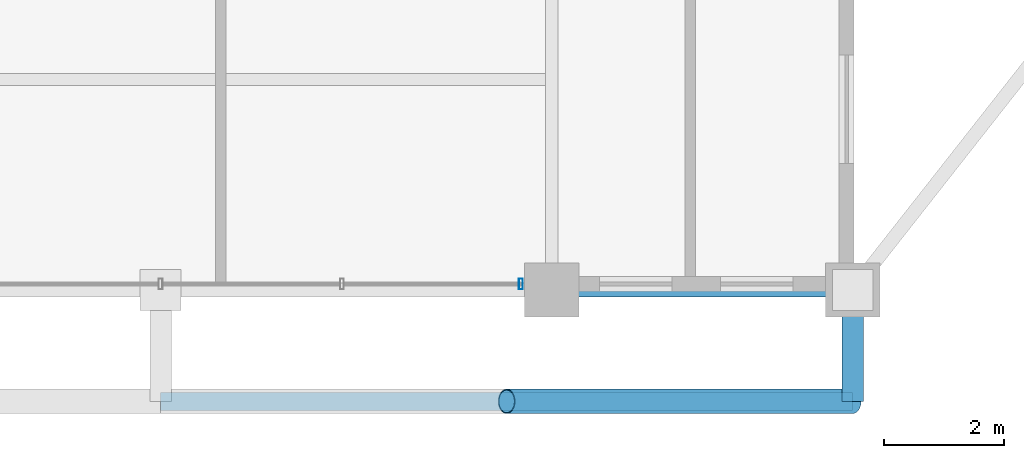
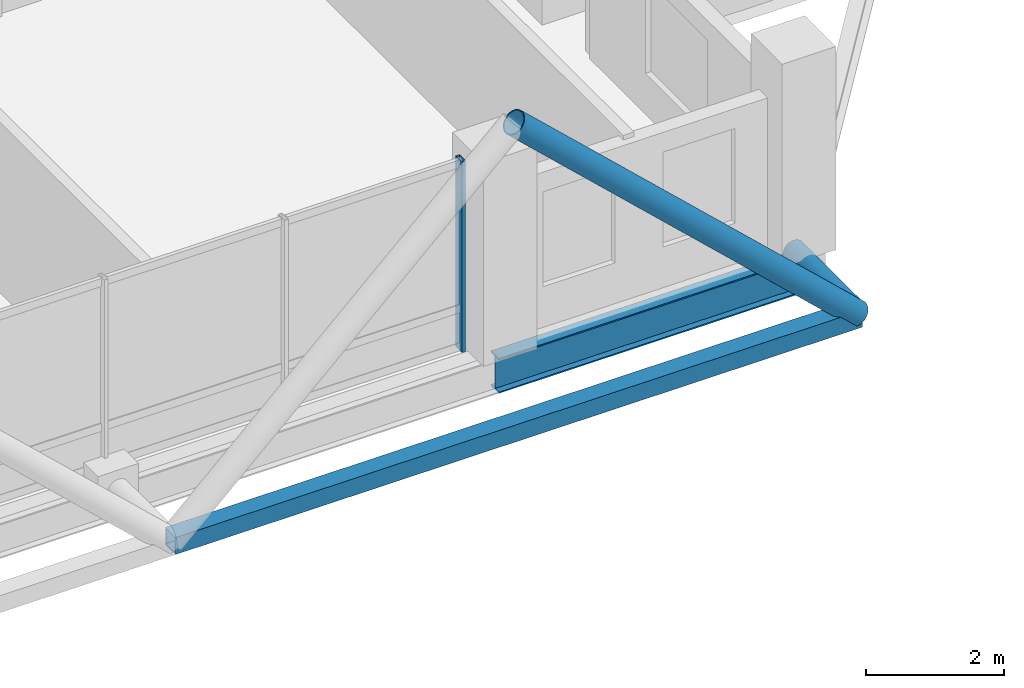
# One storey, part 6 of 24: 4 members, 1 beam, 1 element without a shape of its own.
"""IFC4 building model written with IfcOpenShell, lengths in metres."""

from ifc_helpers import new_model, si_unit, direction, frame, origin, origin_2d, place, context, subcontext, project, spatial, hollow_rectangle, hollow_circle, i_section, extrude, material, layer, layer_set, material_profile, profile_set, type_object, element, aggregate, save


model = new_model("IFC4")

# Units and contexts
model_context = context("Model", 3, precision=1e-05, world=origin(), true_north=direction((0.0, 1.0)))
body_context = subcontext(model_context, "Body", "Model", "MODEL_VIEW")
ifc_project = project(units=[si_unit("LENGTHUNIT", "METRE"), si_unit("AREAUNIT", "SQUARE_METRE"), si_unit("VOLUMEUNIT", "CUBIC_METRE"), si_unit("PLANEANGLEUNIT", "RADIAN"), si_unit("MASSUNIT", "GRAM", prefix="KILO")], contexts=[model_context])

# Site, building, storey
site_placement = place(None, origin())
site = spatial("IfcSite", under=ifc_project, at=site_placement, CompositionType="ELEMENT")
building_placement = place(site_placement, origin())
building = spatial("IfcBuilding", under=site, at=building_placement, Name="Barlavira Tower and Art Museum", CompositionType="ELEMENT")
storey_placement = place(building_placement, frame((0.0, 0.0, 272.699951171875)))
storey = spatial("IfcBuildingStorey", under=building, at=storey_placement, Name="L71", CompositionType="ELEMENT", Elevation=272.699951171875)

# Curtain wall, member
ifc_material_1 = material(Name="Low-iron coastal laminated glass", Category="glass")
ifc_layer = layer(ifc_material_1, 0.2099609375, Name="Low-iron coastal laminated glass")
ifc_layer_set = layer_set([ifc_layer], Name="Low-iron coastal laminated glass")
curtain_wall_type = type_object("IfcCurtainWallType", Name="Pale-Metal Unitised Curtain Wall Zone 4", PredefinedType="NOTDEFINED", material=ifc_layer_set)
curtain_wall_placement = place(storey_placement, origin())
curtain_wall = element("IfcCurtainWall", 1, at=curtain_wall_placement, inside=storey, type_object=curtain_wall_type, Name="L71 Curtain Wall CW4-L71-S-B2", PredefinedType="NOTDEFINED")
ifc_material_2 = material(Name="Pale anodised aluminium", Category="aluminium")
ifc_material_profile_1 = material_profile(ifc_material_2, hollow_rectangle(XDim=0.06494140625, YDim=0.179931640625, WallThickness=0.00390625, at=origin_2d()), Name="ALU-MULL 65x180x4")
ifc_profile_set_1 = profile_set([ifc_material_profile_1], Name="Pale anodised aluminium")
member_type_1 = type_object("IfcMemberType", Name="Curtain Wall Pale-Metal Mullion 65x180", PredefinedType="MULLION", material=ifc_profile_set_1)
member_1_placement = place(storey_placement, frame((5.985107421875, -19.89990234375, 0.0), z_axis=(0.0, 0.0, 1.0), x_axis=(1.0, 0.0, 0.0)))
member_1 = element("IfcMember", 2, at=member_1_placement, type_object=member_type_1, Name="CW4-L71-S-B2 Mullion 4", PredefinedType="MULLION", context=body_context, shape_type="SweptSolid", body=[
    extrude(hollow_rectangle(XDim=0.06494140625, YDim=0.179931640625, WallThickness=0.00390625, at=origin_2d()), origin(), (0.0, 0.0, 1.0), 3.380126953125),
])
aggregate(curtain_wall, [member_1])

# Members
ifc_material_3 = material(Name="Steel S355", Category="steel")
ifc_material_profile_2 = material_profile(ifc_material_3, hollow_circle(Radius=0.203125, WallThickness=0.01611328125, at=origin_2d()), Name="CHS 406.4x16.0")
ifc_profile_set_2 = profile_set([ifc_material_profile_2], Name="Steel S355")
member_type_2 = type_object("IfcMemberType", Name="Pale-Metal Exoskeleton Diagrid Tube CHS 406x16 Steel S355", PredefinedType="BRACE", material=ifc_profile_set_2)
member_2_placement = place(storey_placement, frame((11.5, -21.85009765625, -0.119873046875), z_axis=(-0.728950095515, 0.0, 0.684566839869), x_axis=(0.0, -1.0, 0.0)))
element("IfcMember", 3, at=member_2_placement, inside=storey, type_object=member_type_2, Name="L71 Exoskeleton Diagrid Tube S", PredefinedType="BRACE", context=body_context, shape_type="SweptSolid", body=[
    extrude(hollow_circle(Radius=0.203125, WallThickness=0.01611328125, at=origin_2d()), origin(), (0.0, 0.0, 1.0), 7.887939453125),
])
ifc_material_profile_3 = material_profile(ifc_material_3, hollow_circle(Radius=0.177734375, WallThickness=0.01611328125, at=origin_2d()), Name="CHS 355.6x16.0")
ifc_profile_set_3 = profile_set([ifc_material_profile_3], Name="Steel S355")
member_type_3 = type_object("IfcMemberType", Name="Pale-Metal Exoskeleton Tie Strut CHS 356x16 Steel S355", PredefinedType="STRUT", material=ifc_profile_set_3)
member_3_placement = place(storey_placement, frame((11.5, -21.85009765625, -0.119873046875), z_axis=(0.0, 1.0, 0.0), x_axis=(-1.0, 0.0, 0.0)))
element("IfcMember", 4, at=member_3_placement, inside=storey, type_object=member_type_3, Name="L71 Exoskeleton Tie Strut S3", PredefinedType="STRUT", context=body_context, shape_type="SweptSolid", body=[
    extrude(hollow_circle(Radius=0.177734375, WallThickness=0.01611328125, at=origin_2d()), origin(), (0.0, 0.0, 1.0), 1.85009765625),
])
ifc_material_profile_4 = material_profile(ifc_material_3, hollow_rectangle(XDim=0.300048828125, YDim=0.300048828125, WallThickness=0.01611328125, at=origin_2d()), Name="SHS 300x300x16.0")
ifc_profile_set_4 = profile_set([ifc_material_profile_4], Name="Steel S355")
member_type_4 = type_object("IfcMemberType", Name="Pale-Metal Upper Ring Strut SHS 300x300x16 Steel S355", PredefinedType="STRUT", material=ifc_profile_set_4)
member_4_placement = place(storey_placement, frame((0.0, -21.85009765625, -0.119873046875), z_axis=(1.0, 0.0, 0.0), x_axis=(0.0, 1.0, 0.0)))
element("IfcMember", 5, at=member_4_placement, inside=storey, type_object=member_type_4, Name="L71 Exoskeleton Ring Strut S", PredefinedType="STRUT", context=body_context, shape_type="SweptSolid", body=[
    extrude(hollow_rectangle(XDim=0.300048828125, YDim=0.300048828125, WallThickness=0.01611328125, at=origin_2d()), origin(), (0.0, 0.0, 1.0), 11.5),
])

# Beam
ifc_material_profile_5 = material_profile(ifc_material_3, i_section(OverallWidth=0.22998046875, OverallDepth=0.616943359375, WebThickness=0.01318359375, FlangeThickness=0.022216796875, at=origin_2d()), Name="W610x140.0")
ifc_profile_set_5 = profile_set([ifc_material_profile_5], Name="Steel S355")
beam_type = type_object("IfcBeamType", Name="Upper Shaft Spandrel Edge Beam W610x140 Steel S355", PredefinedType="SPANDREL", material=ifc_profile_set_5)
beam_placement = place(storey_placement, frame((6.5, -20.0, -0.528564453125), z_axis=(1.0, 0.0, 0.0), x_axis=(0.0, 1.0, 0.0)))
element("IfcBeam", 6, at=beam_placement, inside=storey, type_object=beam_type, Name="L71 Spandrel 3", PredefinedType="SPANDREL", context=body_context, shape_type="SweptSolid", body=[
    extrude(i_section(OverallWidth=0.22998046875, OverallDepth=0.616943359375, WebThickness=0.01318359375, FlangeThickness=0.022216796875, at=origin_2d()), origin(), (0.0, 0.0, 1.0), 5.0),
])

save(model, "model.ifc")
